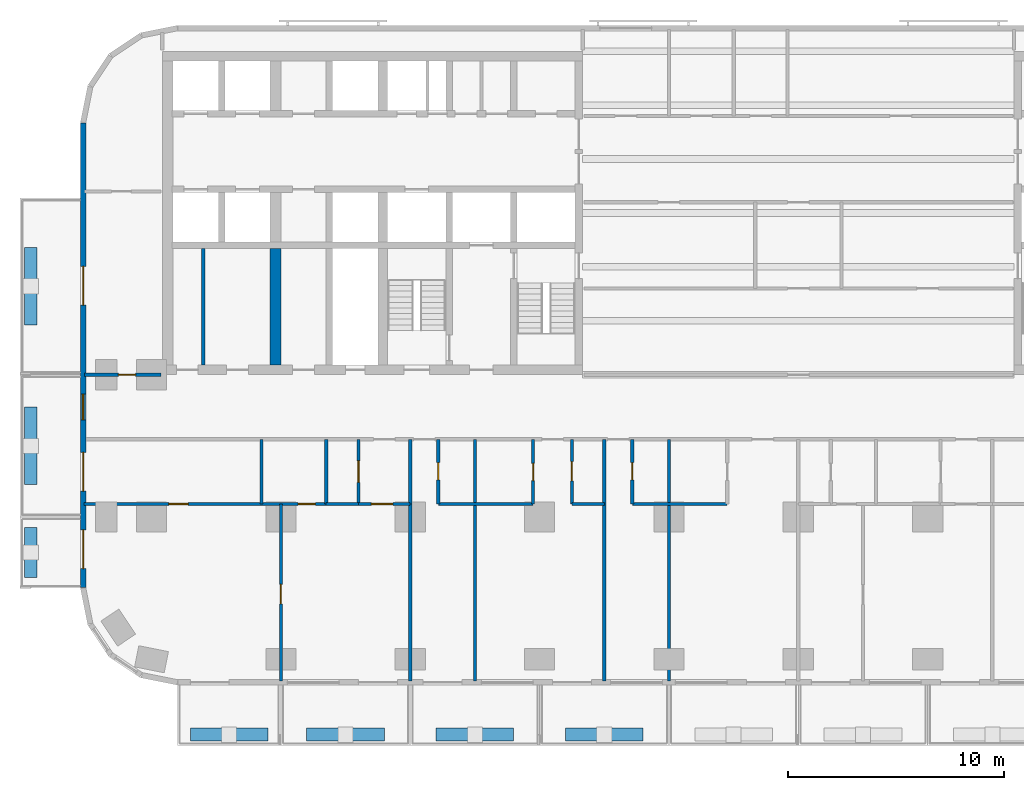
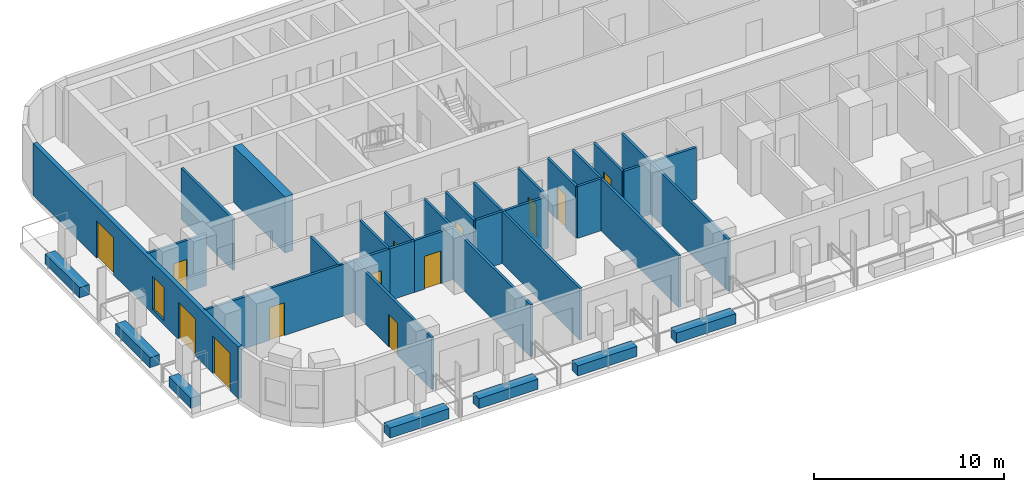
# One storey, part 2 of 14: 30 walls, 13 doors, 1 window, 14 openings.
"""IFC4 building model written with IfcOpenShell, lengths in metres."""

from ifc_helpers import new_model, si_unit, direction, frame, frame_2d, origin, place, context, subcontext, project, spatial, rectangle, extrude, material, layer, layer_set, type_object, element, fill, save


model = new_model("IFC4")

# Units and contexts
model_context = context("Model", 3, precision=1e-05, world=origin(), true_north=direction((0.0, 1.0)))
body_context = subcontext(model_context, "Body", "Model", "MODEL_VIEW")
ifc_project = project(units=[si_unit("LENGTHUNIT", "METRE"), si_unit("AREAUNIT", "SQUARE_METRE"), si_unit("VOLUMEUNIT", "CUBIC_METRE"), si_unit("PLANEANGLEUNIT", "RADIAN"), si_unit("MASSUNIT", "GRAM", prefix="KILO")], contexts=[model_context])

# Site, building, storey
site_placement = place(None, origin())
site = spatial("IfcSite", under=ifc_project, at=site_placement, CompositionType="ELEMENT")
building_placement = place(site_placement, origin())
building = spatial("IfcBuilding", under=site, at=building_placement, Name="Torana Hotel and Residences", CompositionType="ELEMENT")
storey_placement = place(building_placement, frame((0.0, 0.0, 74.39990234375)))
storey = spatial("IfcBuildingStorey", under=building, at=storey_placement, Name="L18", CompositionType="ELEMENT", Elevation=74.39990234375)

# Wall
ifc_material_1 = material(Name="Concrete C80/95", Category="concrete")
ifc_layer_1 = layer(ifc_material_1, 0.5)
ifc_layer_set_1 = layer_set([ifc_layer_1], Name="CORE WALL 500 C80/95")
wall_type_1 = type_object("IfcWallType", Name="CORE WALL 500 C80/95", PredefinedType="SHEAR", material=ifc_layer_set_1)
wall_1_placement = place(storey_placement, frame((-24.25, -14.550048828125, 0.0), z_axis=(0.0, 0.0, 1.0), x_axis=(0.0, 1.0, 0.0)))
element("IfcWall", 1, at=wall_1_placement, inside=storey, type_object=wall_type_1, Name="Core wall W ml-band", PredefinedType="SHEAR", context=body_context, shape_type="SweptSolid", body=[
    extrude(rectangle(XDim=5.400146484375, YDim=0.5, at=frame_2d((2.7001953125, 0.0))), origin(), (0.0, 0.0, 1.0), 3.60009765625),
])

# Wall, openings, doors, window
ifc_material_2 = material(Name="Black aluminium composite panel", Category="aluminium")
ifc_layer_2 = layer(ifc_material_2, 0.00390625, Name="Cladding", Category="cladding")
ifc_material_3 = material(Name="Ventilated air cavity")
ifc_layer_3 = layer(ifc_material_3, 0.0400390625, Name="Ventilated cavity", Category="cavity")
ifc_material_4 = material(Name="Mineral wool insulation")
ifc_layer_4 = layer(ifc_material_4, 0.090087890625, Name="Insulation", Category="insulation")
ifc_material_5 = material(Name="Steel S280GD", Category="steel")
ifc_layer_5 = layer(ifc_material_5, 0.092041015625, Name="Steel stud frame", Category="structure")
ifc_material_6 = material(Name="Fire rated plasterboard")
ifc_layer_6 = layer(ifc_material_6, 0.011962890625, Name="Inner board", Category="finish")
ifc_layer_7 = layer(ifc_material_6, 0.011962890625, Name="Second board", Category="finish")
ifc_layer_set_2 = layer_set([ifc_layer_2, ifc_layer_3, ifc_layer_4, ifc_layer_5, ifc_layer_6, ifc_layer_7], Name="EW1 EXTERNAL WALL BLACK METAL CLAD 250")
wall_type_2 = type_object("IfcWallType", Name="EW1 EXTERNAL WALL BLACK METAL CLAD 250", PredefinedType="SOLIDWALL", material=ifc_layer_set_2)
wall_2_placement = place(storey_placement, frame((-33.175048828125, -3.32470703125, 0.0), z_axis=(0.0, 0.0, 1.0), x_axis=(0.0, -1.0, 0.0)))
wall_2 = element("IfcWall", 2, at=wall_2_placement, inside=storey, type_object=wall_type_2, Name="External wall L18 e0.9", PredefinedType="SOLIDWALL", context=body_context, shape_type="SweptSolid", body=[
    extrude(rectangle(XDim=21.55078125, YDim=0.25, at=frame_2d((10.775390625, 0.0))), origin(), (0.0, 0.0, 1.0), 3.320068359375),
])
opening_1_placement = place(wall_2_placement, frame((6.650390625, 0.0, 0.0)))
opening_1 = element("IfcOpeningElement", 3, at=opening_1_placement, cuts=wall_2, Name="Opening L18-E14", PredefinedType="OPENING", context=body_context, shape_type="SweptSolid", body=[
    extrude(rectangle(XDim=1.800048828125, YDim=2.39990234375, at=frame_2d((0.89990234375, 1.199951171875))), frame((0.0, 0.135009765625, 0.0), z_axis=(0.0, -1.0, 0.0), x_axis=(1.0, 0.0, 0.0)), (0.0, 0.0, 1.0), 0.27001953125),
])
opening_2_placement = place(wall_2_placement, frame((12.575439453125, 0.0, 0.300048828125)))
opening_2 = element("IfcOpeningElement", 4, at=opening_2_placement, cuts=wall_2, Name="Opening W7", PredefinedType="OPENING", context=body_context, shape_type="SweptSolid", body=[
    extrude(rectangle(XDim=1.199951171875, YDim=2.10009765625, at=frame_2d((0.60009765625, 1.050048828125))), frame((0.0, 0.135009765625, 0.0), z_axis=(0.0, -1.0, 0.0), x_axis=(1.0, 0.0, 0.0)), (0.0, 0.0, 1.0), 0.27001953125),
])
opening_3_placement = place(wall_2_placement, frame((15.275390625, 0.0, 0.0)))
opening_3 = element("IfcOpeningElement", 5, at=opening_3_placement, cuts=wall_2, Name="Opening L18-E15", PredefinedType="OPENING", context=body_context, shape_type="SweptSolid", body=[
    extrude(rectangle(XDim=1.800048828125, YDim=2.39990234375, at=frame_2d((0.89990234375, 1.199951171875))), frame((0.0, 0.135009765625, 0.0), z_axis=(0.0, -1.0, 0.0), x_axis=(1.0, 0.0, 0.0)), (0.0, 0.0, 1.0), 0.27001953125),
])
opening_4_placement = place(wall_2_placement, frame((18.87548828125, 0.0, 0.0)))
opening_4 = element("IfcOpeningElement", 6, at=opening_4_placement, cuts=wall_2, Name="Opening L18-E16", PredefinedType="OPENING", context=body_context, shape_type="SweptSolid", body=[
    extrude(rectangle(XDim=1.800048828125, YDim=2.39990234375, at=frame_2d((0.89990234375, 1.199951171875))), frame((0.0, 0.135009765625, 0.0), z_axis=(0.0, -1.0, 0.0), x_axis=(1.0, 0.0, 0.0)), (0.0, 0.0, 1.0), 0.27001953125),
])
ifc_material_7 = material(Name="Dark glass in black aluminium frame", Category="aluminium")
door_type_1 = type_object("IfcDoorType", Name="DB1 BALCONY DOOR 1800x2400", OperationType="DOUBLE_DOOR_SINGLE_SWING", PredefinedType="DOOR", material=ifc_material_7)
door_1_placement = place(opening_1_placement, origin())
door_1 = element("IfcDoor", 7, at=door_1_placement, inside=storey, type_object=door_type_1, Name="Balcony door L18", OperationType="DOUBLE_DOOR_SINGLE_SWING", OverallHeight=2.39990234375, OverallWidth=1.800048828125, PredefinedType="DOOR", context=body_context, shape_type="SweptSolid", body=[
    extrude(rectangle(XDim=1.800048828125, YDim=2.39990234375, at=frame_2d((0.89990234375, 1.199951171875))), frame((0.0, 0.02490234375, 0.0), z_axis=(0.0, -1.0, 0.0), x_axis=(1.0, 0.0, 0.0)), (0.0, 0.0, 1.0), 0.050048828125),
])
fill(opening_1, door_1)
door_2_placement = place(opening_3_placement, origin())
door_2 = element("IfcDoor", 8, at=door_2_placement, inside=storey, type_object=door_type_1, Name="Balcony door L18", OperationType="DOUBLE_DOOR_SINGLE_SWING", OverallHeight=2.39990234375, OverallWidth=1.800048828125, PredefinedType="DOOR", context=body_context, shape_type="SweptSolid", body=[
    extrude(rectangle(XDim=1.800048828125, YDim=2.39990234375, at=frame_2d((0.89990234375, 1.199951171875))), frame((0.0, 0.02490234375, 0.0), z_axis=(0.0, -1.0, 0.0), x_axis=(1.0, 0.0, 0.0)), (0.0, 0.0, 1.0), 0.050048828125),
])
fill(opening_3, door_2)
door_3_placement = place(opening_4_placement, frame((0.89990234375, 0.0, 0.0), z_axis=(0.0, 0.0, 1.0), x_axis=(-1.0, 0.0, 0.0)))
door_3 = element("IfcDoor", 9, at=door_3_placement, inside=storey, type_object=door_type_1, Name="Balcony door L18", OperationType="DOUBLE_DOOR_SINGLE_SWING", OverallHeight=2.39990234375, OverallWidth=1.800048828125, PredefinedType="DOOR", context=body_context, shape_type="SweptSolid", body=[
    extrude(rectangle(XDim=1.800048828125, YDim=2.39990234375, at=frame_2d((0.0, 1.199951171875))), frame((0.0, -0.02490234375, 0.0), z_axis=(0.0, 1.0, 0.0), x_axis=(-1.0, 0.0, 0.0)), (0.0, 0.0, 1.0), 0.050048828125),
])
fill(opening_4, door_3)
ifc_material_8 = material(Name="Dark glass in black aluminium frame", Category="aluminium")
window_type = type_object("IfcWindowType", Name="W7 HOTEL CORRIDOR WINDOW 1200x2100", PartitioningType="SINGLE_PANEL", PredefinedType="WINDOW", material=ifc_material_8)
window_placement = place(opening_2_placement, origin())
window = element("IfcWindow", 10, at=window_placement, inside=storey, type_object=window_type, Name="Window L18", OverallHeight=2.10009765625, OverallWidth=1.199951171875, PartitioningType="SINGLE_PANEL", PredefinedType="WINDOW", context=body_context, shape_type="SweptSolid", body=[
    extrude(rectangle(XDim=1.199951171875, YDim=2.10009765625, at=frame_2d((0.60009765625, 1.050048828125))), frame((0.0, 0.030029296875, 0.0), z_axis=(0.0, -1.0, 0.0), x_axis=(1.0, 0.0, 0.0)), (0.0, 0.0, 1.0), 0.06005859375),
])
fill(opening_2, window)

# Walls
ifc_material_9 = material(Name="Gypsum plaster")
ifc_layer_8 = layer(ifc_material_9, 0.014892578125, Name="Plaster", Category="finish")
ifc_material_10 = material(Name="Concrete blockwork", Category="masonry")
ifc_layer_9 = layer(ifc_material_10, 0.1201171875, Name="Blockwork", Category="structure")
ifc_layer_10 = layer(ifc_material_9, 0.014892578125, Name="Plaster", Category="finish")
ifc_layer_set_3 = layer_set([ifc_layer_8, ifc_layer_9, ifc_layer_10], Name="FIRE PARTITION 150 BLOCKWORK")
wall_type_3 = type_object("IfcWallType", Name="FIRE PARTITION 150 BLOCKWORK", PredefinedType="PARTITIONING", material=ifc_layer_set_3)
wall_3_placement = place(storey_placement, frame((-27.60009765625, -14.550048828125, 0.0), z_axis=(0.0, 0.0, 1.0), x_axis=(0.0, 1.0, 0.0)))
element("IfcWall", 11, at=wall_3_placement, inside=storey, type_object=wall_type_3, Name="Core partition L18", PredefinedType="PARTITIONING", context=body_context, shape_type="SweptSolid", body=[
    extrude(rectangle(XDim=5.400146484375, YDim=0.14990234375, at=frame_2d((2.7001953125, 0.0))), origin(), (0.0, 0.0, 1.0), 3.300048828125),
])
wall_4_placement = place(storey_placement, frame((-18.0, -21.0, 0.0), z_axis=(0.0, 0.0, 1.0), x_axis=(0.0, 1.0, 0.0)))
element("IfcWall", 12, at=wall_4_placement, inside=storey, type_object=wall_type_3, Name="Partition L18", PredefinedType="PARTITIONING", context=body_context, shape_type="SweptSolid", body=[
    extrude(rectangle(XDim=3.0, YDim=0.14990234375, at=frame_2d((1.5, 0.0))), origin(), (0.0, 0.0, 1.0), 3.320068359375),
])

# Wall, opening, door
wall_5_placement = place(storey_placement, frame((-20.39990234375, -21.0, 0.0), z_axis=(0.0, 0.0, 1.0), x_axis=(0.0, 1.0, 0.0)))
wall_5 = element("IfcWall", 13, at=wall_5_placement, inside=storey, type_object=wall_type_3, Name="Partition L18", PredefinedType="PARTITIONING", context=body_context, shape_type="SweptSolid", body=[
    extrude(rectangle(XDim=3.0, YDim=0.14990234375, at=frame_2d((1.5, 0.0))), origin(), (0.0, 0.0, 1.0), 3.320068359375),
])
opening_5_placement = place(wall_5_placement, frame((1.0, 0.0, 0.0)))
opening_5 = element("IfcOpeningElement", 14, at=opening_5_placement, cuts=wall_5, Name="Opening L18-74", PredefinedType="OPENING", context=body_context, shape_type="SweptSolid", body=[
    extrude(rectangle(XDim=1.0, YDim=2.10009765625, at=frame_2d((0.5, 1.050048828125))), frame((0.0, 0.0849609375, 0.0), z_axis=(0.0, -1.0, 0.0), x_axis=(1.0, 0.0, 0.0)), (0.0, 0.0, 1.0), 0.169921875),
])
ifc_material_11 = material(Name="Steel S235", Category="steel")
door_type_2 = type_object("IfcDoorType", Name="ENTRY FIRE DOOR D6 1000x2100", OperationType="SINGLE_SWING_LEFT", PredefinedType="DOOR", material=ifc_material_11)
door_4_placement = place(opening_5_placement, origin())
door_4 = element("IfcDoor", 15, at=door_4_placement, inside=storey, type_object=door_type_2, Name="Door L18", OperationType="SINGLE_SWING_RIGHT", OverallHeight=2.10009765625, OverallWidth=1.0, PredefinedType="DOOR", context=body_context, shape_type="SweptSolid", body=[
    extrude(rectangle(XDim=1.0, YDim=2.10009765625, at=frame_2d((0.5, 1.050048828125))), frame((0.0, 0.02490234375, 0.0), z_axis=(0.0, -1.0, 0.0), x_axis=(1.0, 0.0, 0.0)), (0.0, 0.0, 1.0), 0.050048828125),
])
fill(opening_5, door_4)

wall_6_placement = place(storey_placement, frame((-20.39990234375, -21.0, 0.0), z_axis=(0.0, 0.0, 1.0), x_axis=(1.0, 0.0, 0.0)))
wall_6 = element("IfcWall", 16, at=wall_6_placement, inside=storey, type_object=wall_type_3, Name="Partition L18", PredefinedType="PARTITIONING", context=body_context, shape_type="SweptSolid", body=[
    extrude(rectangle(XDim=2.39990234375, YDim=0.14990234375, at=frame_2d((1.199951171875, 0.0))), origin(), (0.0, 0.0, 1.0), 3.320068359375),
])
opening_6_placement = place(wall_6_placement, frame((0.60009765625, 0.0, 0.0)))
opening_6 = element("IfcOpeningElement", 17, at=opening_6_placement, cuts=wall_6, Name="Opening L18-75", PredefinedType="OPENING", context=body_context, shape_type="SweptSolid", body=[
    extrude(rectangle(XDim=1.0, YDim=2.10009765625, at=frame_2d((0.5, 1.050048828125))), frame((0.0, 0.0849609375, 0.0), z_axis=(0.0, -1.0, 0.0), x_axis=(1.0, 0.0, 0.0)), (0.0, 0.0, 1.0), 0.169921875),
])
door_5_placement = place(opening_6_placement, frame((0.5, 0.0, 0.0), z_axis=(0.0, 0.0, 1.0), x_axis=(-1.0, 0.0, 0.0)))
door_5 = element("IfcDoor", 18, at=door_5_placement, inside=storey, type_object=door_type_2, Name="Door L18", OperationType="SINGLE_SWING_RIGHT", OverallHeight=2.10009765625, OverallWidth=1.0, PredefinedType="DOOR", context=body_context, shape_type="SweptSolid", body=[
    extrude(rectangle(XDim=1.0, YDim=2.10009765625, at=frame_2d((0.0, 1.050048828125))), frame((0.0, -0.02490234375, 0.0), z_axis=(0.0, 1.0, 0.0), x_axis=(-1.0, 0.0, 0.0)), (0.0, 0.0, 1.0), 0.050048828125),
])
fill(opening_6, door_5)

wall_7_placement = place(storey_placement, frame((-33.1201171875, -15.0, 0.0), z_axis=(0.0, 0.0, 1.0), x_axis=(1.0, 0.0, 0.0)))
wall_7 = element("IfcWall", 19, at=wall_7_placement, inside=storey, type_object=wall_type_3, Name="Partition L18", PredefinedType="PARTITIONING", context=body_context, shape_type="SweptSolid", body=[
    extrude(rectangle(XDim=3.570068359375, YDim=0.14990234375, at=frame_2d((1.78515625, 0.0))), origin(), (0.0, 0.0, 1.0), 3.320068359375),
])
opening_7_placement = place(wall_7_placement, frame((1.580078125, 0.0, 0.0)))
opening_7 = element("IfcOpeningElement", 20, at=opening_7_placement, cuts=wall_7, Name="Opening L18-49", PredefinedType="OPENING", context=body_context, shape_type="SweptSolid", body=[
    extrude(rectangle(XDim=0.800048828125, YDim=2.10009765625, at=frame_2d((0.39990234375, 1.050048828125))), frame((0.0, 0.0849609375, 0.0), z_axis=(0.0, -1.0, 0.0), x_axis=(1.0, 0.0, 0.0)), (0.0, 0.0, 1.0), 0.169921875),
])
ifc_material_12 = material(Name="Steel S235", Category="steel")
door_type_3 = type_object("IfcDoorType", Name="STORE FIRE DOOR D16 800x2100", OperationType="SINGLE_SWING_LEFT", PredefinedType="DOOR", material=ifc_material_12)
door_6_placement = place(opening_7_placement, origin())
door_6 = element("IfcDoor", 21, at=door_6_placement, inside=storey, type_object=door_type_3, Name="Door L18", OperationType="SINGLE_SWING_RIGHT", OverallHeight=2.10009765625, OverallWidth=0.800048828125, PredefinedType="DOOR", context=body_context, shape_type="SweptSolid", body=[
    extrude(rectangle(XDim=0.800048828125, YDim=2.10009765625, at=frame_2d((0.39990234375, 1.050048828125))), frame((0.0, 0.02490234375, 0.0), z_axis=(0.0, -1.0, 0.0), x_axis=(1.0, 0.0, 0.0)), (0.0, 0.0, 1.0), 0.050048828125),
])
fill(opening_7, door_6)

# Wall
ifc_material_13 = material(Name="Gypsum plasterboard")
ifc_layer_11 = layer(ifc_material_13, 0.012451171875, Name="Plasterboard", Category="finish")
ifc_layer_12 = layer(ifc_material_13, 0.012451171875, Name="Plasterboard", Category="finish")
ifc_layer_13 = layer(ifc_material_5, 0.10009765625, Name="Steel studs with mineral wool", Category="insulation")
ifc_layer_14 = layer(ifc_material_13, 0.012451171875, Name="Plasterboard", Category="finish")
ifc_layer_15 = layer(ifc_material_13, 0.012451171875, Name="Plasterboard", Category="finish")
ifc_layer_set_4 = layer_set([ifc_layer_11, ifc_layer_12, ifc_layer_13, ifc_layer_14, ifc_layer_15], Name="PARTITION 150 PLASTERBOARD")
wall_type_4 = type_object("IfcWallType", Name="PARTITION 150 PLASTERBOARD", PredefinedType="PARTITIONING", material=ifc_layer_set_4)
wall_8_placement = place(storey_placement, frame((-6.0, -29.219970703125, 0.0), z_axis=(0.0, 0.0, 1.0), x_axis=(0.0, 1.0, 0.0)))
element("IfcWall", 22, at=wall_8_placement, inside=storey, type_object=wall_type_4, Name="Partition L18", PredefinedType="PARTITIONING", context=body_context, shape_type="SweptSolid", body=[
    extrude(rectangle(XDim=11.219970703125, YDim=0.14990234375, at=frame_2d((5.60986328125, 0.0))), origin(), (0.0, 0.0, 1.0), 3.320068359375),
])

# Wall, opening, door
wall_9_placement = place(storey_placement, frame((-7.699951171875, -21.0, 0.0), z_axis=(0.0, 0.0, 1.0), x_axis=(0.0, 1.0, 0.0)))
wall_9 = element("IfcWall", 23, at=wall_9_placement, inside=storey, type_object=wall_type_4, Name="Partition L18", PredefinedType="PARTITIONING", context=body_context, shape_type="SweptSolid", body=[
    extrude(rectangle(XDim=3.0, YDim=0.14990234375, at=frame_2d((1.5, 0.0))), origin(), (0.0, 0.0, 1.0), 3.320068359375),
])
opening_8_placement = place(wall_9_placement, frame((1.1201171875, 0.0, 0.0)))
opening_8 = element("IfcOpeningElement", 24, at=opening_8_placement, cuts=wall_9, Name="Opening L18-62", PredefinedType="OPENING", context=body_context, shape_type="SweptSolid", body=[
    extrude(rectangle(XDim=0.800048828125, YDim=2.10009765625, at=frame_2d((0.39990234375, 1.050048828125))), frame((0.0, 0.0849609375, 0.0), z_axis=(0.0, -1.0, 0.0), x_axis=(1.0, 0.0, 0.0)), (0.0, 0.0, 1.0), 0.169921875),
])
ifc_material_14 = material(Name="Timber door, painted", Category="wood")
door_type_4 = type_object("IfcDoorType", Name="BATH DOOR D13 800x2100", OperationType="SINGLE_SWING_LEFT", PredefinedType="DOOR", material=ifc_material_14)
door_7_placement = place(opening_8_placement, origin())
door_7 = element("IfcDoor", 25, at=door_7_placement, inside=storey, type_object=door_type_4, Name="Door L18", OperationType="SINGLE_SWING_LEFT", OverallHeight=2.10009765625, OverallWidth=0.800048828125, PredefinedType="DOOR", context=body_context, shape_type="SweptSolid", body=[
    extrude(rectangle(XDim=0.800048828125, YDim=2.10009765625, at=frame_2d((0.39990234375, 1.050048828125))), frame((0.0, 0.02490234375, 0.0), z_axis=(0.0, -1.0, 0.0), x_axis=(1.0, 0.0, 0.0)), (0.0, 0.0, 1.0), 0.050048828125),
])
fill(opening_8, door_7)

# Wall
wall_10_placement = place(storey_placement, frame((-9.0, -29.219970703125, 0.0), z_axis=(0.0, 0.0, 1.0), x_axis=(0.0, 1.0, 0.0)))
element("IfcWall", 26, at=wall_10_placement, inside=storey, type_object=wall_type_4, Name="Partition L18", PredefinedType="PARTITIONING", context=body_context, shape_type="SweptSolid", body=[
    extrude(rectangle(XDim=11.219970703125, YDim=0.14990234375, at=frame_2d((5.60986328125, 0.0))), origin(), (0.0, 0.0, 1.0), 3.320068359375),
])

# Wall, opening, door
wall_11_placement = place(storey_placement, frame((-10.5, -21.0, 0.0), z_axis=(0.0, 0.0, 1.0), x_axis=(0.0, 1.0, 0.0)))
wall_11 = element("IfcWall", 27, at=wall_11_placement, inside=storey, type_object=wall_type_4, Name="Partition L18", PredefinedType="PARTITIONING", context=body_context, shape_type="SweptSolid", body=[
    extrude(rectangle(XDim=3.0, YDim=0.14990234375, at=frame_2d((1.5, 0.0))), origin(), (0.0, 0.0, 1.0), 3.320068359375),
])
opening_9_placement = place(wall_11_placement, frame((1.070068359375, 0.0, 0.0)))
opening_9 = element("IfcOpeningElement", 28, at=opening_9_placement, cuts=wall_11, Name="Opening L18-61", PredefinedType="OPENING", context=body_context, shape_type="SweptSolid", body=[
    extrude(rectangle(XDim=0.89990234375, YDim=2.10009765625, at=frame_2d((0.449951171875, 1.050048828125))), frame((0.0, 0.0849609375, 0.0), z_axis=(0.0, -1.0, 0.0), x_axis=(1.0, 0.0, 0.0)), (0.0, 0.0, 1.0), 0.169921875),
])
ifc_material_15 = material(Name="Timber door, oiled ash", Category="wood")
door_type_5 = type_object("IfcDoorType", Name="ROOM DOOR D7 900x2100", OperationType="SINGLE_SWING_LEFT", PredefinedType="DOOR", material=ifc_material_15)
door_8_placement = place(opening_9_placement, origin())
door_8 = element("IfcDoor", 29, at=door_8_placement, inside=storey, type_object=door_type_5, Name="Door L18", OperationType="SINGLE_SWING_LEFT", OverallHeight=2.10009765625, OverallWidth=0.89990234375, PredefinedType="DOOR", context=body_context, shape_type="SweptSolid", body=[
    extrude(rectangle(XDim=0.89990234375, YDim=2.10009765625, at=frame_2d((0.449951171875, 1.050048828125))), frame((0.0, 0.02490234375, 0.0), z_axis=(0.0, -1.0, 0.0), x_axis=(1.0, 0.0, 0.0)), (0.0, 0.0, 1.0), 0.050048828125),
])
fill(opening_9, door_8)

wall_12_placement = place(storey_placement, frame((-12.300048828125, -21.0, 0.0), z_axis=(0.0, 0.0, 1.0), x_axis=(0.0, 1.0, 0.0)))
wall_12 = element("IfcWall", 30, at=wall_12_placement, inside=storey, type_object=wall_type_4, Name="Partition L18", PredefinedType="PARTITIONING", context=body_context, shape_type="SweptSolid", body=[
    extrude(rectangle(XDim=3.0, YDim=0.14990234375, at=frame_2d((1.5, 0.0))), origin(), (0.0, 0.0, 1.0), 3.320068359375),
])
opening_10_placement = place(wall_12_placement, frame((1.080078125, 0.0, 0.0)))
opening_10 = element("IfcOpeningElement", 31, at=opening_10_placement, cuts=wall_12, Name="Opening L18-60", PredefinedType="OPENING", context=body_context, shape_type="SweptSolid", body=[
    extrude(rectangle(XDim=0.800048828125, YDim=2.10009765625, at=frame_2d((0.39990234375, 1.050048828125))), frame((0.0, 0.0849609375, 0.0), z_axis=(0.0, -1.0, 0.0), x_axis=(1.0, 0.0, 0.0)), (0.0, 0.0, 1.0), 0.169921875),
])
door_9_placement = place(opening_10_placement, origin())
door_9 = element("IfcDoor", 32, at=door_9_placement, inside=storey, type_object=door_type_4, Name="Door L18", OperationType="SINGLE_SWING_RIGHT", OverallHeight=2.10009765625, OverallWidth=0.800048828125, PredefinedType="DOOR", context=body_context, shape_type="SweptSolid", body=[
    extrude(rectangle(XDim=0.800048828125, YDim=2.10009765625, at=frame_2d((0.39990234375, 1.050048828125))), frame((0.0, 0.02490234375, 0.0), z_axis=(0.0, -1.0, 0.0), x_axis=(1.0, 0.0, 0.0)), (0.0, 0.0, 1.0), 0.050048828125),
])
fill(opening_10, door_9)

# Wall
wall_13_placement = place(storey_placement, frame((-15.0, -29.219970703125, 0.0), z_axis=(0.0, 0.0, 1.0), x_axis=(0.0, 1.0, 0.0)))
element("IfcWall", 33, at=wall_13_placement, inside=storey, type_object=wall_type_4, Name="Partition L18", PredefinedType="PARTITIONING", context=body_context, shape_type="SweptSolid", body=[
    extrude(rectangle(XDim=11.219970703125, YDim=0.14990234375, at=frame_2d((5.60986328125, 0.0))), origin(), (0.0, 0.0, 1.0), 3.320068359375),
])

# Wall, opening, door
wall_14_placement = place(storey_placement, frame((-16.699951171875, -21.0, 0.0), z_axis=(0.0, 0.0, 1.0), x_axis=(0.0, 1.0, 0.0)))
wall_14 = element("IfcWall", 34, at=wall_14_placement, inside=storey, type_object=wall_type_4, Name="Partition L18", PredefinedType="PARTITIONING", context=body_context, shape_type="SweptSolid", body=[
    extrude(rectangle(XDim=3.0, YDim=0.14990234375, at=frame_2d((1.5, 0.0))), origin(), (0.0, 0.0, 1.0), 3.320068359375),
])
opening_11_placement = place(wall_14_placement, frame((1.1201171875, 0.0, 0.0)))
opening_11 = element("IfcOpeningElement", 35, at=opening_11_placement, cuts=wall_14, Name="Opening L18-59", PredefinedType="OPENING", context=body_context, shape_type="SweptSolid", body=[
    extrude(rectangle(XDim=0.800048828125, YDim=2.10009765625, at=frame_2d((0.39990234375, 1.050048828125))), frame((0.0, 0.0849609375, 0.0), z_axis=(0.0, -1.0, 0.0), x_axis=(1.0, 0.0, 0.0)), (0.0, 0.0, 1.0), 0.169921875),
])
door_10_placement = place(opening_11_placement, origin())
door_10 = element("IfcDoor", 36, at=door_10_placement, inside=storey, type_object=door_type_4, Name="Door L18", OperationType="SINGLE_SWING_RIGHT", OverallHeight=2.10009765625, OverallWidth=0.800048828125, PredefinedType="DOOR", context=body_context, shape_type="SweptSolid", body=[
    extrude(rectangle(XDim=0.800048828125, YDim=2.10009765625, at=frame_2d((0.39990234375, 1.050048828125))), frame((0.0, 0.02490234375, 0.0), z_axis=(0.0, -1.0, 0.0), x_axis=(1.0, 0.0, 0.0)), (0.0, 0.0, 1.0), 0.050048828125),
])
fill(opening_11, door_10)

# Wall
wall_15_placement = place(storey_placement, frame((-18.0, -29.219970703125, 0.0), z_axis=(0.0, 0.0, 1.0), x_axis=(0.0, 1.0, 0.0)))
element("IfcWall", 37, at=wall_15_placement, inside=storey, type_object=wall_type_4, Name="Partition L18", PredefinedType="PARTITIONING", context=body_context, shape_type="SweptSolid", body=[
    extrude(rectangle(XDim=8.219970703125, YDim=0.14990234375, at=frame_2d((4.10986328125, 0.0))), origin(), (0.0, 0.0, 1.0), 3.320068359375),
])

# Wall, opening, door
wall_16_placement = place(storey_placement, frame((-24.0, -29.219970703125, 0.0), z_axis=(0.0, 0.0, 1.0), x_axis=(0.0, 1.0, 0.0)))
wall_16 = element("IfcWall", 38, at=wall_16_placement, inside=storey, type_object=wall_type_4, Name="Partition L18", PredefinedType="PARTITIONING", context=body_context, shape_type="SweptSolid", body=[
    extrude(rectangle(XDim=8.219970703125, YDim=0.14990234375, at=frame_2d((4.10986328125, 0.0))), origin(), (0.0, 0.0, 1.0), 3.320068359375),
])
opening_12_placement = place(wall_16_placement, frame((3.590087890625, 0.0, 0.0)))
opening_12 = element("IfcOpeningElement", 39, at=opening_12_placement, cuts=wall_16, Name="Opening L18-78", PredefinedType="OPENING", context=body_context, shape_type="SweptSolid", body=[
    extrude(rectangle(XDim=0.89990234375, YDim=2.10009765625, at=frame_2d((0.449951171875, 1.050048828125))), frame((0.0, 0.0849609375, 0.0), z_axis=(0.0, -1.0, 0.0), x_axis=(1.0, 0.0, 0.0)), (0.0, 0.0, 1.0), 0.169921875),
])
door_11_placement = place(opening_12_placement, origin())
door_11 = element("IfcDoor", 40, at=door_11_placement, inside=storey, type_object=door_type_5, Name="Door L18", OperationType="SINGLE_SWING_RIGHT", OverallHeight=2.10009765625, OverallWidth=0.89990234375, PredefinedType="DOOR", context=body_context, shape_type="SweptSolid", body=[
    extrude(rectangle(XDim=0.89990234375, YDim=2.10009765625, at=frame_2d((0.449951171875, 1.050048828125))), frame((0.0, 0.02490234375, 0.0), z_axis=(0.0, -1.0, 0.0), x_axis=(1.0, 0.0, 0.0)), (0.0, 0.0, 1.0), 0.050048828125),
])
fill(opening_12, door_11)

# Wall
wall_17_placement = place(storey_placement, frame((-24.89990234375, -21.0, 0.0), z_axis=(0.0, 0.0, 1.0), x_axis=(0.0, 1.0, 0.0)))
element("IfcWall", 41, at=wall_17_placement, inside=storey, type_object=wall_type_4, Name="Partition L18", PredefinedType="PARTITIONING", context=body_context, shape_type="SweptSolid", body=[
    extrude(rectangle(XDim=3.0, YDim=0.14990234375, at=frame_2d((1.5, 0.0))), origin(), (0.0, 0.0, 1.0), 3.320068359375),
])

# Wall, openings, doors
wall_18_placement = place(storey_placement, frame((-33.1201171875, -21.0, 0.0), z_axis=(0.0, 0.0, 1.0), x_axis=(1.0, 0.0, 0.0)))
wall_18 = element("IfcWall", 42, at=wall_18_placement, inside=storey, type_object=wall_type_4, Name="Partition L18", PredefinedType="PARTITIONING", context=body_context, shape_type="SweptSolid", body=[
    extrude(rectangle(XDim=11.22021484375, YDim=0.14990234375, at=frame_2d((5.610107421875, 0.0))), origin(), (0.0, 0.0, 1.0), 3.320068359375),
])
opening_13_placement = place(wall_18_placement, frame((9.919921875, 0.0, 0.0)))
opening_13 = element("IfcOpeningElement", 43, at=opening_13_placement, cuts=wall_18, Name="Opening L18-76", PredefinedType="OPENING", context=body_context, shape_type="SweptSolid", body=[
    extrude(rectangle(XDim=0.800048828125, YDim=2.10009765625, at=frame_2d((0.39990234375, 1.050048828125))), frame((0.0, 0.0849609375, 0.0), z_axis=(0.0, -1.0, 0.0), x_axis=(1.0, 0.0, 0.0)), (0.0, 0.0, 1.0), 0.169921875),
])
opening_14_placement = place(wall_18_placement, frame((3.919921875, 0.0, 0.0)))
opening_14 = element("IfcOpeningElement", 44, at=opening_14_placement, cuts=wall_18, Name="Opening L18-77", PredefinedType="OPENING", context=body_context, shape_type="SweptSolid", body=[
    extrude(rectangle(XDim=0.89990234375, YDim=2.10009765625, at=frame_2d((0.449951171875, 1.050048828125))), frame((0.0, 0.0849609375, 0.0), z_axis=(0.0, -1.0, 0.0), x_axis=(1.0, 0.0, 0.0)), (0.0, 0.0, 1.0), 0.169921875),
])
door_12_placement = place(opening_13_placement, origin())
door_12 = element("IfcDoor", 45, at=door_12_placement, inside=storey, type_object=door_type_4, Name="Door L18", OperationType="SINGLE_SWING_LEFT", OverallHeight=2.10009765625, OverallWidth=0.800048828125, PredefinedType="DOOR", context=body_context, shape_type="SweptSolid", body=[
    extrude(rectangle(XDim=0.800048828125, YDim=2.10009765625, at=frame_2d((0.39990234375, 1.050048828125))), frame((0.0, 0.02490234375, 0.0), z_axis=(0.0, -1.0, 0.0), x_axis=(1.0, 0.0, 0.0)), (0.0, 0.0, 1.0), 0.050048828125),
])
fill(opening_13, door_12)
door_13_placement = place(opening_14_placement, origin())
door_13 = element("IfcDoor", 46, at=door_13_placement, inside=storey, type_object=door_type_5, Name="Door L18", OperationType="SINGLE_SWING_RIGHT", OverallHeight=2.10009765625, OverallWidth=0.89990234375, PredefinedType="DOOR", context=body_context, shape_type="SweptSolid", body=[
    extrude(rectangle(XDim=0.89990234375, YDim=2.10009765625, at=frame_2d((0.449951171875, 1.050048828125))), frame((0.0, 0.02490234375, 0.0), z_axis=(0.0, -1.0, 0.0), x_axis=(1.0, 0.0, 0.0)), (0.0, 0.0, 1.0), 0.050048828125),
])
fill(opening_14, door_13)

# Walls
wall_19_placement = place(storey_placement, frame((-16.699951171875, -21.0, 0.0), z_axis=(0.0, 0.0, 1.0), x_axis=(1.0, 0.0, 0.0)))
element("IfcWall", 47, at=wall_19_placement, inside=storey, type_object=wall_type_4, Name="Partition L18", PredefinedType="PARTITIONING", context=body_context, shape_type="SweptSolid", body=[
    extrude(rectangle(XDim=4.39990234375, YDim=0.14990234375, at=frame_2d((2.199951171875, 0.0))), origin(), (0.0, 0.0, 1.0), 3.320068359375),
])
wall_20_placement = place(storey_placement, frame((-10.5, -21.0, 0.0), z_axis=(0.0, 0.0, 1.0), x_axis=(1.0, 0.0, 0.0)))
element("IfcWall", 48, at=wall_20_placement, inside=storey, type_object=wall_type_4, Name="Partition L18", PredefinedType="PARTITIONING", context=body_context, shape_type="SweptSolid", body=[
    extrude(rectangle(XDim=1.5, YDim=0.14990234375, at=frame_2d((0.75, 0.0))), origin(), (0.0, 0.0, 1.0), 3.320068359375),
])
wall_21_placement = place(storey_placement, frame((-7.699951171875, -21.0, 0.0), z_axis=(0.0, 0.0, 1.0), x_axis=(1.0, 0.0, 0.0)))
element("IfcWall", 49, at=wall_21_placement, inside=storey, type_object=wall_type_4, Name="Partition L18", PredefinedType="PARTITIONING", context=body_context, shape_type="SweptSolid", body=[
    extrude(rectangle(XDim=4.39990234375, YDim=0.14990234375, at=frame_2d((2.199951171875, 0.0))), origin(), (0.0, 0.0, 1.0), 3.320068359375),
])
ifc_material_16 = material(Name="Concrete C40/50 precast", Category="concrete")
ifc_layer_16 = layer(ifc_material_16, 0.10009765625, Name="Planter shell", Category="structure")
ifc_material_17 = material(Name="Root resistant membrane")
ifc_layer_17 = layer(ifc_material_17, 0.00390625, Name="Waterproofing membrane", Category="membrane")
ifc_material_18 = material(Name="Drainage board with filter fleece")
ifc_layer_18 = layer(ifc_material_18, 0.02001953125, Name="Drainage board", Category="drainage")
ifc_material_19 = material(Name="Growing medium")
ifc_layer_19 = layer(ifc_material_19, 0.47607421875, Name="Planting substrate", Category="soil")
ifc_layer_set_5 = layer_set([ifc_layer_16, ifc_layer_17, ifc_layer_18, ifc_layer_19], Name="PL1 BALCONY PLANTER 600")
wall_type_5 = type_object("IfcWallType", Name="PL1 BALCONY PLANTER 600", PredefinedType="USERDEFINED", material=ifc_layer_set_5)
wall_22_placement = place(storey_placement, frame((-24.60009765625, -31.699951171875, 0.0), z_axis=(0.0, 0.0, 1.0), x_axis=(-1.0, 0.0, 0.0)))
element("IfcWall", 50, at=wall_22_placement, inside=storey, type_object=wall_type_5, Name="Planter 01", ObjectType="PLANTER", PredefinedType="USERDEFINED", context=body_context, shape_type="SweptSolid", body=[
    extrude(rectangle(XDim=3.599853515625, YDim=0.60009765625, at=frame_2d((1.7998046875, 0.0))), origin(), (0.0, 0.0, 1.0), 0.650146484375),
])
for number, where, z_axis, x_axis, name in (
    (51, (-19.199951171875, -31.699951171875, 0.0), (0.0, 0.0, 1.0), (-1.0, 0.0, 0.0), "Planter 02"),
    (52, (-13.199951171875, -31.699951171875, 0.0), (0.0, 0.0, 1.0), (-1.0, 0.0, 0.0), "Planter 03"),
    (53, (-7.199951171875, -31.699951171875, 0.0), (0.0, 0.0, 1.0), (-1.0, 0.0, 0.0), "Planter 04"),
):
    element("IfcWall", number, at=place(storey_placement, frame(where, z_axis=z_axis, x_axis=x_axis)), inside=storey, type_object=wall_type_5, Name=name, ObjectType="PLANTER", PredefinedType="USERDEFINED", context=body_context, shape_type="SweptSolid", body=[
        extrude(rectangle(XDim=3.60009765625, YDim=0.60009765625, at=frame_2d((1.800048828125, 0.0))), origin(), (0.0, 0.0, 1.0), 0.650146484375),
    ])
wall_23_placement = place(storey_placement, frame((-35.60009765625, -24.39990234375, 0.0), z_axis=(0.0, 0.0, 1.0), x_axis=(0.0, 1.0, 0.0)))
element("IfcWall", 54, at=wall_23_placement, inside=storey, type_object=wall_type_5, Name="Planter 11", ObjectType="PLANTER", PredefinedType="USERDEFINED", context=body_context, shape_type="SweptSolid", body=[
    extrude(rectangle(XDim=2.2998046875, YDim=0.60009765625, at=frame_2d((1.14990234375, 0.0))), origin(), (0.0, 0.0, 1.0), 0.650146484375),
])
wall_24_placement = place(storey_placement, frame((-35.60009765625, -20.10009765625, 0.0), z_axis=(0.0, 0.0, 1.0), x_axis=(0.0, 1.0, 0.0)))
element("IfcWall", 55, at=wall_24_placement, inside=storey, type_object=wall_type_5, Name="Planter 12", ObjectType="PLANTER", PredefinedType="USERDEFINED", context=body_context, shape_type="SweptSolid", body=[
    extrude(rectangle(XDim=3.60009765625, YDim=0.60009765625, at=frame_2d((1.800048828125, 0.0))), origin(), (0.0, 0.0, 1.0), 0.650146484375),
])
wall_25_placement = place(storey_placement, frame((-35.60009765625, -12.699951171875, 0.0), z_axis=(0.0, 0.0, 1.0), x_axis=(0.0, 1.0, 0.0)))
element("IfcWall", 56, at=wall_25_placement, inside=storey, type_object=wall_type_5, Name="Planter 13", ObjectType="PLANTER", PredefinedType="USERDEFINED", context=body_context, shape_type="SweptSolid", body=[
    extrude(rectangle(XDim=3.599853515625, YDim=0.60009765625, at=frame_2d((1.7998046875, 0.0))), origin(), (0.0, 0.0, 1.0), 0.650146484375),
])
ifc_material_20 = material(Name="Ceramic tile on adhesive")
ifc_layer_20 = layer(ifc_material_20, 0.010009765625, Name="Wall tile", Category="finish")
ifc_material_21 = material(Name="Cement render")
ifc_layer_21 = layer(ifc_material_21, 0.010009765625, Name="Render", Category="finish")
ifc_layer_22 = layer(ifc_material_10, 0.110107421875, Name="Blockwork", Category="structure")
ifc_layer_23 = layer(ifc_material_21, 0.010009765625, Name="Render", Category="finish")
ifc_layer_24 = layer(ifc_material_20, 0.010009765625, Name="Wall tile", Category="finish")
ifc_layer_set_6 = layer_set([ifc_layer_20, ifc_layer_21, ifc_layer_22, ifc_layer_23, ifc_layer_24], Name="WC PARTITION 150")
wall_type_6 = type_object("IfcWallType", Name="WC PARTITION 150", PredefinedType="PLUMBINGWALL", material=ifc_layer_set_6)
wall_26_placement = place(storey_placement, frame((-21.89990234375, -21.0, 0.0), z_axis=(0.0, 0.0, 1.0), x_axis=(0.0, 1.0, 0.0)))
element("IfcWall", 57, at=wall_26_placement, inside=storey, type_object=wall_type_6, Name="Partition L18", PredefinedType="PLUMBINGWALL", context=body_context, shape_type="SweptSolid", body=[
    extrude(rectangle(XDim=3.0, YDim=0.14990234375, at=frame_2d((1.5, 0.0))), origin(), (0.0, 0.0, 1.0), 3.320068359375),
])
wall_27_placement = place(storey_placement, frame((-21.89990234375, -21.0, 0.0), z_axis=(0.0, 0.0, 1.0), x_axis=(1.0, 0.0, 0.0)))
element("IfcWall", 58, at=wall_27_placement, inside=storey, type_object=wall_type_6, Name="Partition L18", PredefinedType="PLUMBINGWALL", context=body_context, shape_type="SweptSolid", body=[
    extrude(rectangle(XDim=1.5, YDim=0.14990234375, at=frame_2d((0.75, 0.0))), origin(), (0.0, 0.0, 1.0), 3.320068359375),
])

save(model, "model.ifc")
